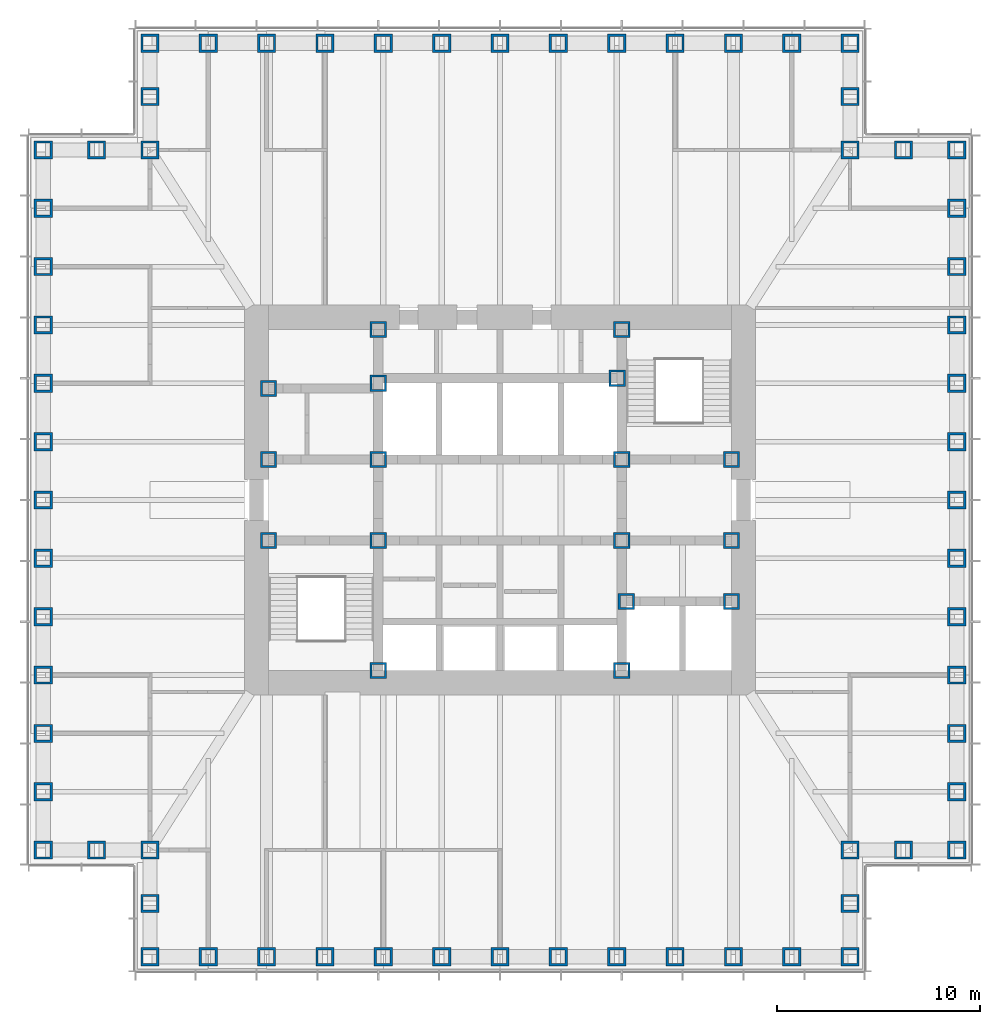
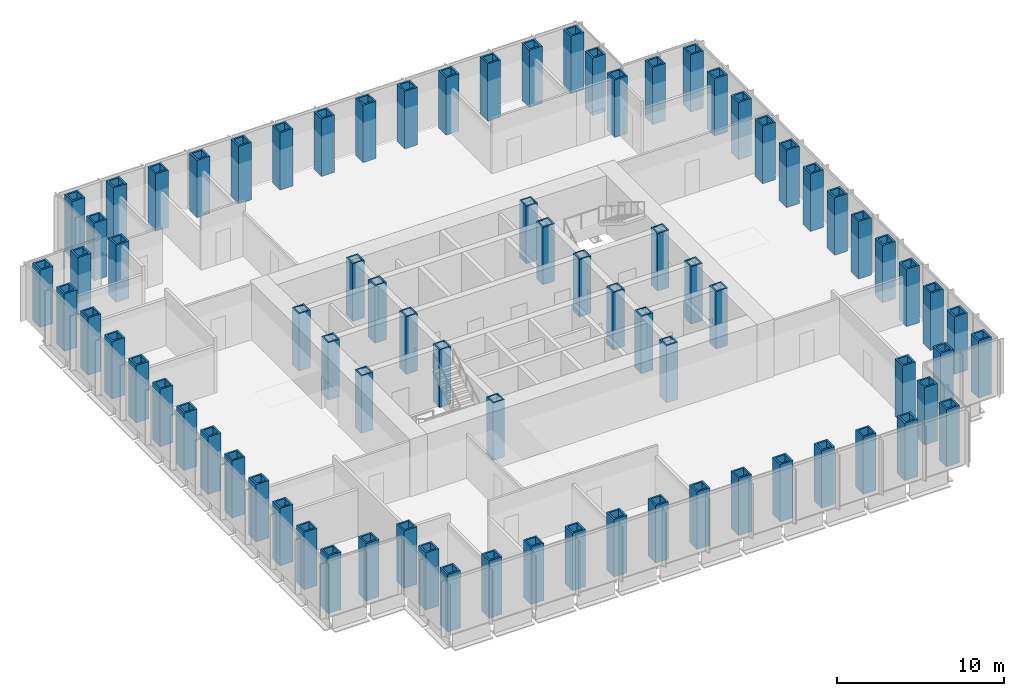
# One storey, part 1 of 17: 81 columns.
"""IFC4 building model written with IfcOpenShell, lengths in metres."""

from ifc_helpers import new_model, si_unit, direction, frame, origin, origin_2d, place, context, subcontext, project, spatial, hollow_rectangle, extrude, material, material_profile, profile_set, type_object, element, save


model = new_model("IFC4")

# Units and contexts
model_context = context("Model", 3, precision=1e-05, world=origin(), true_north=direction((0.0, 1.0)))
body_context = subcontext(model_context, "Body", "Model", "MODEL_VIEW")
ifc_project = project(units=[si_unit("LENGTHUNIT", "METRE"), si_unit("AREAUNIT", "SQUARE_METRE"), si_unit("VOLUMEUNIT", "CUBIC_METRE"), si_unit("PLANEANGLEUNIT", "RADIAN"), si_unit("MASSUNIT", "GRAM", prefix="KILO")], contexts=[model_context])

# Site, building, storey
site_placement = place(None, origin())
site = spatial("IfcSite", under=ifc_project, at=site_placement, CompositionType="ELEMENT")
building_placement = place(site_placement, origin())
building = spatial("IfcBuilding", under=site, at=building_placement, Name="Daluyong Arena Tower", CompositionType="ELEMENT")
storey_placement = place(building_placement, frame((0.0, 0.0, 154.300048828125)))
storey = spatial("IfcBuildingStorey", under=building, at=storey_placement, Name="L34", CompositionType="ELEMENT", Elevation=154.300048828125)

# Columns
ifc_material_1 = material(Name="Steel ASTM A572 Grade 50", Category="steel")
ifc_material_profile_1 = material_profile(ifc_material_1, hollow_rectangle(XDim=0.800048828125, YDim=0.800048828125, WallThickness=0.1, at=origin_2d()))
ifc_profile_set_1 = profile_set([ifc_material_profile_1], Name="Steel ASTM A572 Grade 50")
column_type_1 = type_object("IfcColumnType", Name="Core boundary column BX800X100", PredefinedType="COLUMN", material=ifc_profile_set_1)
for number, where, z_axis, x_axis, name in (
    (1, (44.60009765625, 78.0, 0.0), (0.0, 0.0, 1.0), (1.0, 0.0, 0.0), "core boundary column BC2"),
    (2, (44.60009765625, 82.0, 0.0), (0.0, 0.0, 1.0), (1.0, 0.0, 0.0), "core boundary column BC2"),
    (3, (44.60009765625, 85.5, 0.0), (0.0, 0.0, 1.0), (1.0, 0.0, 0.0), "core boundary column BC2"),
    (4, (50.0, 71.60009765625, 0.0), (0.0, 0.0, 1.0), (1.0, 0.0, 0.0), "core boundary column BC2"),
    (5, (50.0, 78.0, 0.0), (0.0, 0.0, 1.0), (1.0, 0.0, 0.0), "core boundary column BC2"),
    (6, (50.0, 82.0, 0.0), (0.0, 0.0, 1.0), (1.0, 0.0, 0.0), "core boundary column BC2"),
    (7, (50.0, 85.75, 0.0), (0.0, 0.0, 1.0), (1.0, 0.0, 0.0), "core boundary column BC2"),
    (8, (50.0, 88.39990234375, 0.0), (0.0, 0.0, 1.0), (1.0, 0.0, 0.0), "core boundary column BC2"),
    (9, (61.77490234375, 86.0, 0.0), (0.0, 0.0, 1.0), (1.0, 0.0, 0.0), "core boundary column BC2"),
    (10, (62.0, 71.60009765625, 0.0), (0.0, 0.0, 1.0), (1.0, 0.0, 0.0), "core boundary column BC2"),
    (11, (62.0, 78.0, 0.0), (0.0, 0.0, 1.0), (1.0, 0.0, 0.0), "core boundary column BC2"),
    (12, (62.0, 82.0, 0.0), (0.0, 0.0, 1.0), (1.0, 0.0, 0.0), "core boundary column BC2"),
    (13, (62.0, 88.39990234375, 0.0), (0.0, 0.0, 1.0), (1.0, 0.0, 0.0), "core boundary column BC2"),
    (14, (62.22509765625, 75.0, 0.0), (0.0, 0.0, 1.0), (1.0, 0.0, 0.0), "core boundary column BC2"),
    (15, (67.39990234375, 75.0, 0.0), (0.0, 0.0, 1.0), (1.0, 0.0, 0.0), "core boundary column BC2"),
    (16, (67.39990234375, 78.0, 0.0), (0.0, 0.0, 1.0), (1.0, 0.0, 0.0), "core boundary column BC2"),
    (17, (67.39990234375, 82.0, 0.0), (0.0, 0.0, 1.0), (1.0, 0.0, 0.0), "core boundary column BC2"),
):
    element("IfcColumn", number, at=place(storey_placement, frame(where, z_axis=z_axis, x_axis=x_axis)), inside=storey, type_object=column_type_1, Name=name, PredefinedType="COLUMN", context=body_context, shape_type="SweptSolid", body=[
        extrude(hollow_rectangle(XDim=0.800048828125, YDim=0.800048828125, WallThickness=0.1, at=origin_2d()), origin(), (0.0, 0.0, 1.0), 4.199951171875),
    ])
ifc_material_2 = material(Name="Steel ASTM A588 Grade 50", Category="steel")
ifc_material_profile_2 = material_profile(ifc_material_2, hollow_rectangle(XDim=0.89990234375, YDim=0.89990234375, WallThickness=0.12, at=origin_2d()))
ifc_profile_set_2 = profile_set([ifc_material_profile_2], Name="Steel ASTM A588 Grade 50")
column_type_2 = type_object("IfcColumnType", Name="Tube column BX900X120 BX900X120", PredefinedType="COLUMN", material=ifc_profile_set_2)
for number, where, z_axis, x_axis, name in (
    (18, (38.75, 57.5, 0.0), (0.0, 0.0, 1.0), (1.0, 0.0, 0.0), "tube column bx900x120 TC4"),
    (19, (41.625, 57.5, 0.0), (0.0, 0.0, 1.0), (1.0, 0.0, 0.0), "tube column bx900x120 TC4"),
    (20, (44.5, 57.5, 0.0), (0.0, 0.0, 1.0), (1.0, 0.0, 0.0), "tube column bx900x120 TC4"),
    (21, (47.375, 57.5, 0.0), (0.0, 0.0, 1.0), (1.0, 0.0, 0.0), "tube column bx900x120 TC4"),
    (22, (50.25, 57.5, 0.0), (0.0, 0.0, 1.0), (1.0, 0.0, 0.0), "tube column bx900x120 TC4"),
    (23, (53.125, 57.5, 0.0), (0.0, 0.0, 1.0), (1.0, 0.0, 0.0), "tube column bx900x120 TC4"),
    (24, (56.0, 57.5, 0.0), (0.0, 0.0, 1.0), (1.0, 0.0, 0.0), "tube column bx900x120 TC4"),
    (25, (58.875, 57.5, 0.0), (0.0, 0.0, 1.0), (1.0, 0.0, 0.0), "tube column bx900x120 TC4"),
    (26, (61.75, 57.5, 0.0), (0.0, 0.0, 1.0), (1.0, 0.0, 0.0), "tube column bx900x120 TC4"),
    (27, (64.625, 57.5, 0.0), (0.0, 0.0, 1.0), (1.0, 0.0, 0.0), "tube column bx900x120 TC4"),
    (28, (67.5, 57.5, 0.0), (0.0, 0.0, 1.0), (1.0, 0.0, 0.0), "tube column bx900x120 TC4"),
    (29, (70.375, 57.5, 0.0), (0.0, 0.0, 1.0), (1.0, 0.0, 0.0), "tube column bx900x120 TC4"),
    (30, (73.25, 57.5, 0.0), (0.0, 0.0, 1.0), (0.0, 1.0, 0.0), "tube column bx900x120 TC4"),
    (31, (73.25, 60.125, 0.0), (0.0, 0.0, 1.0), (0.0, 1.0, 0.0), "tube column bx900x120 TC4"),
    (32, (73.25, 62.75, 0.0), (0.0, 0.0, 1.0), (1.0, 0.0, 0.0), "tube column bx900x120 TC4"),
    (33, (75.875, 62.75, 0.0), (0.0, 0.0, 1.0), (1.0, 0.0, 0.0), "tube column bx900x120 TC4"),
    (34, (78.5, 62.75, 0.0), (0.0, 0.0, 1.0), (0.0, 1.0, 0.0), "tube column bx900x120 TC4"),
    (35, (78.5, 65.625, 0.0), (0.0, 0.0, 1.0), (0.0, 1.0, 0.0), "tube column bx900x120 TC4"),
    (36, (78.5, 68.5, 0.0), (0.0, 0.0, 1.0), (0.0, 1.0, 0.0), "tube column bx900x120 TC4"),
    (37, (78.5, 71.375, 0.0), (0.0, 0.0, 1.0), (0.0, 1.0, 0.0), "tube column bx900x120 TC4"),
    (38, (78.5, 74.25, 0.0), (0.0, 0.0, 1.0), (0.0, 1.0, 0.0), "tube column bx900x120 TC4"),
    (39, (78.5, 77.125, 0.0), (0.0, 0.0, 1.0), (0.0, 1.0, 0.0), "tube column bx900x120 TC4"),
    (40, (78.5, 80.0, 0.0), (0.0, 0.0, 1.0), (0.0, 1.0, 0.0), "tube column bx900x120 TC4"),
    (41, (78.5, 82.875, 0.0), (0.0, 0.0, 1.0), (0.0, 1.0, 0.0), "tube column bx900x120 TC4"),
    (42, (78.5, 85.75, 0.0), (0.0, 0.0, 1.0), (0.0, 1.0, 0.0), "tube column bx900x120 TC4"),
    (43, (78.5, 88.625, 0.0), (0.0, 0.0, 1.0), (0.0, 1.0, 0.0), "tube column bx900x120 TC4"),
    (44, (78.5, 91.5, 0.0), (0.0, 0.0, 1.0), (0.0, 1.0, 0.0), "tube column bx900x120 TC4"),
    (45, (78.5, 94.375, 0.0), (0.0, 0.0, 1.0), (0.0, 1.0, 0.0), "tube column bx900x120 TC4"),
    (46, (78.5, 97.25, 0.0), (0.0, 0.0, 1.0), (1.0, 0.0, 0.0), "tube column bx900x120 TC4"),
    (47, (75.875, 97.25, 0.0), (0.0, 0.0, 1.0), (1.0, 0.0, 0.0), "tube column bx900x120 TC4"),
    (48, (73.25, 97.25, 0.0), (0.0, 0.0, 1.0), (0.0, 1.0, 0.0), "tube column bx900x120 TC4"),
    (49, (73.25, 99.875, 0.0), (0.0, 0.0, 1.0), (0.0, 1.0, 0.0), "tube column bx900x120 TC4"),
    (50, (73.25, 102.5, 0.0), (0.0, 0.0, 1.0), (1.0, 0.0, 0.0), "tube column bx900x120 TC4"),
    (51, (70.375, 102.5, 0.0), (0.0, 0.0, 1.0), (1.0, 0.0, 0.0), "tube column bx900x120 TC4"),
    (52, (67.5, 102.5, 0.0), (0.0, 0.0, 1.0), (1.0, 0.0, 0.0), "tube column bx900x120 TC4"),
    (53, (64.625, 102.5, 0.0), (0.0, 0.0, 1.0), (1.0, 0.0, 0.0), "tube column bx900x120 TC4"),
    (54, (61.75, 102.5, 0.0), (0.0, 0.0, 1.0), (1.0, 0.0, 0.0), "tube column bx900x120 TC4"),
    (55, (58.875, 102.5, 0.0), (0.0, 0.0, 1.0), (1.0, 0.0, 0.0), "tube column bx900x120 TC4"),
    (56, (56.0, 102.5, 0.0), (0.0, 0.0, 1.0), (1.0, 0.0, 0.0), "tube column bx900x120 TC4"),
    (57, (53.125, 102.5, 0.0), (0.0, 0.0, 1.0), (1.0, 0.0, 0.0), "tube column bx900x120 TC4"),
    (58, (50.25, 102.5, 0.0), (0.0, 0.0, 1.0), (1.0, 0.0, 0.0), "tube column bx900x120 TC4"),
    (59, (47.375, 102.5, 0.0), (0.0, 0.0, 1.0), (1.0, 0.0, 0.0), "tube column bx900x120 TC4"),
    (60, (44.5, 102.5, 0.0), (0.0, 0.0, 1.0), (1.0, 0.0, 0.0), "tube column bx900x120 TC4"),
    (61, (41.625, 102.5, 0.0), (0.0, 0.0, 1.0), (1.0, 0.0, 0.0), "tube column bx900x120 TC4"),
    (62, (38.75, 102.5, 0.0), (0.0, 0.0, 1.0), (0.0, 1.0, 0.0), "tube column bx900x120 TC4"),
    (63, (38.75, 99.875, 0.0), (0.0, 0.0, 1.0), (0.0, 1.0, 0.0), "tube column bx900x120 TC4"),
    (64, (38.75, 97.25, 0.0), (0.0, 0.0, 1.0), (1.0, 0.0, 0.0), "tube column bx900x120 TC4"),
    (65, (36.125, 97.25, 0.0), (0.0, 0.0, 1.0), (1.0, 0.0, 0.0), "tube column bx900x120 TC4"),
    (66, (33.5, 97.25, 0.0), (0.0, 0.0, 1.0), (0.0, 1.0, 0.0), "tube column bx900x120 TC4"),
    (67, (33.5, 94.375, 0.0), (0.0, 0.0, 1.0), (0.0, 1.0, 0.0), "tube column bx900x120 TC4"),
    (68, (33.5, 91.5, 0.0), (0.0, 0.0, 1.0), (0.0, 1.0, 0.0), "tube column bx900x120 TC4"),
    (69, (33.5, 88.625, 0.0), (0.0, 0.0, 1.0), (0.0, 1.0, 0.0), "tube column bx900x120 TC4"),
    (70, (33.5, 85.75, 0.0), (0.0, 0.0, 1.0), (0.0, 1.0, 0.0), "tube column bx900x120 TC4"),
    (71, (33.5, 82.875, 0.0), (0.0, 0.0, 1.0), (0.0, 1.0, 0.0), "tube column bx900x120 TC4"),
    (72, (33.5, 80.0, 0.0), (0.0, 0.0, 1.0), (0.0, 1.0, 0.0), "tube column bx900x120 TC4"),
    (73, (33.5, 77.125, 0.0), (0.0, 0.0, 1.0), (0.0, 1.0, 0.0), "tube column bx900x120 TC4"),
    (74, (33.5, 74.25, 0.0), (0.0, 0.0, 1.0), (0.0, 1.0, 0.0), "tube column bx900x120 TC4"),
    (75, (33.5, 71.375, 0.0), (0.0, 0.0, 1.0), (0.0, 1.0, 0.0), "tube column bx900x120 TC4"),
    (76, (33.5, 68.5, 0.0), (0.0, 0.0, 1.0), (0.0, 1.0, 0.0), "tube column bx900x120 TC4"),
    (77, (33.5, 65.625, 0.0), (0.0, 0.0, 1.0), (0.0, 1.0, 0.0), "tube column bx900x120 TC4"),
    (78, (33.5, 62.75, 0.0), (0.0, 0.0, 1.0), (1.0, 0.0, 0.0), "tube column bx900x120 TC4"),
    (79, (36.125, 62.75, 0.0), (0.0, 0.0, 1.0), (1.0, 0.0, 0.0), "tube column bx900x120 TC4"),
    (80, (38.75, 62.75, 0.0), (0.0, 0.0, 1.0), (0.0, 1.0, 0.0), "tube column bx900x120 TC4"),
    (81, (38.75, 60.125, 0.0), (0.0, 0.0, 1.0), (0.0, 1.0, 0.0), "tube column bx900x120 TC4"),
):
    element("IfcColumn", number, at=place(storey_placement, frame(where, z_axis=z_axis, x_axis=x_axis)), inside=storey, type_object=column_type_2, Name=name, PredefinedType="COLUMN", context=body_context, shape_type="SweptSolid", body=[
        extrude(hollow_rectangle(XDim=0.89990234375, YDim=0.89990234375, WallThickness=0.12, at=origin_2d()), origin(), (0.0, 0.0, 1.0), 4.199951171875),
    ])

save(model, "model.ifc")
